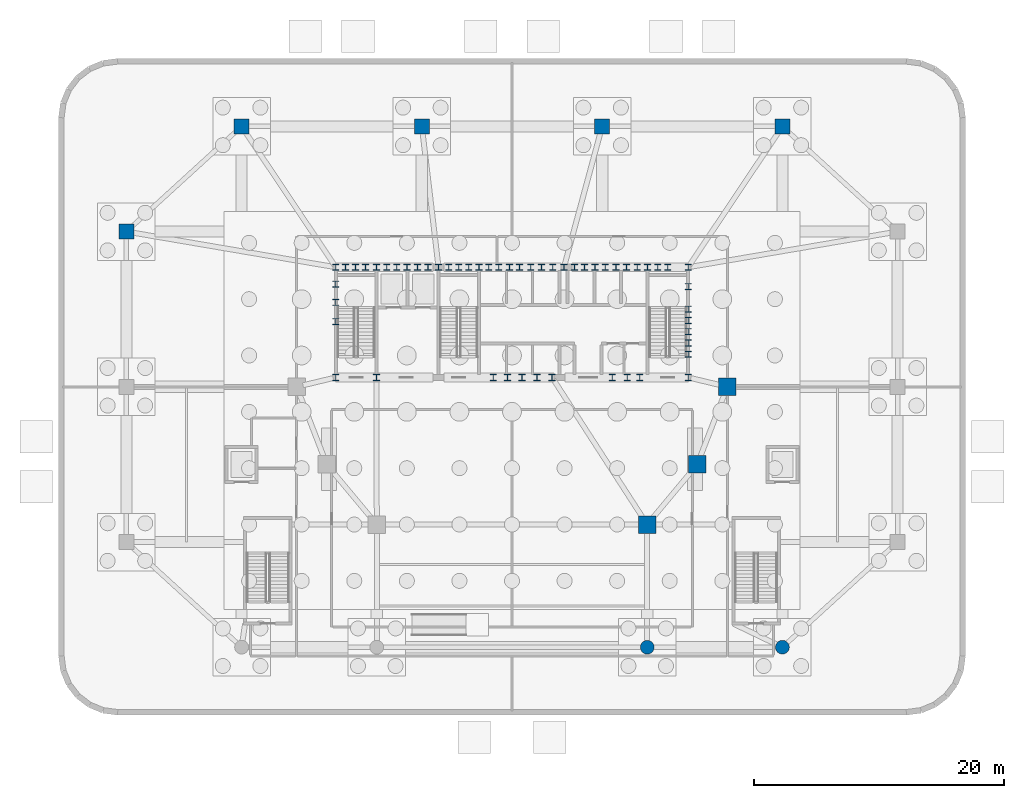
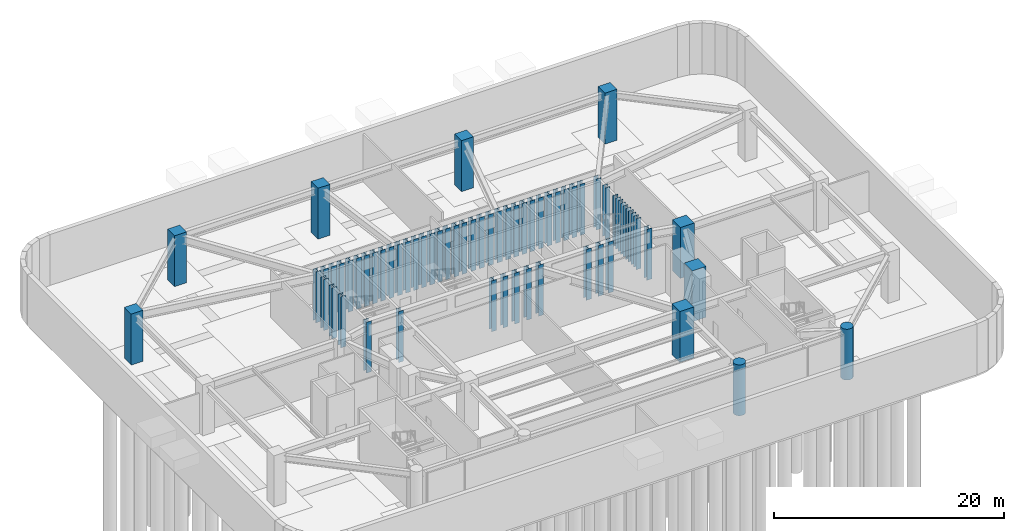
# One storey, part 2 of 11: 64 columns.
"""IFC4 building model written with IfcOpenShell, lengths in metres."""

from ifc_helpers import new_model, si_unit, direction, frame, origin, origin_2d, place, context, subcontext, project, spatial, rectangle, circle, i_section, extrude, material, material_profile, profile_set, type_object, element, save


model = new_model("IFC4")

# Units and contexts
model_context = context("Model", 3, precision=1e-05, world=origin(), true_north=direction((0.0, 1.0)))
body_context = subcontext(model_context, "Body", "Model", "MODEL_VIEW")
ifc_project = project(units=[si_unit("LENGTHUNIT", "METRE"), si_unit("AREAUNIT", "SQUARE_METRE"), si_unit("VOLUMEUNIT", "CUBIC_METRE"), si_unit("PLANEANGLEUNIT", "RADIAN"), si_unit("MASSUNIT", "GRAM", prefix="KILO")], contexts=[model_context])

# Site, building, storey
site_placement = place(None, origin())
site = spatial("IfcSite", under=ifc_project, at=site_placement, CompositionType="ELEMENT")
building_placement = place(site_placement, origin())
building = spatial("IfcBuilding", under=site, at=building_placement, Name="Haldorwick Loom Tower", CompositionType="ELEMENT")
storey_placement = place(building_placement, frame((0.0, 0.0, -5.39990234375)))
storey = spatial("IfcBuildingStorey", under=building, at=storey_placement, Name="B01", CompositionType="ELEMENT", Elevation=-5.39990234375)

# Columns
ifc_material_1 = material(Name="Concrete C60 (60 MPa)", Category="concrete")
ifc_material_profile_1 = material_profile(ifc_material_1, rectangle(XDim=1.39990234375, YDim=1.39990234375, at=origin_2d()), Name="RC1400X1400", Category="concrete")
ifc_profile_set_1 = profile_set([ifc_material_profile_1], Name="Concrete C60 (60 MPa)")
column_type_1 = type_object("IfcColumnType", Name="STR-COL-MEGA1400", PredefinedType="COLUMN", material=ifc_profile_set_1)
for number, where, z_axis, x_axis, name in (
    (1, (53.199951171875, 26.0, 0.0), (0.0, 0.0, 1.0), (1.0, 0.0, 0.0), "B01 Inner Column IC-01"),
    (2, (50.800048828125, 19.800048828125, 0.0), (0.0, 0.0, 1.0), (1.0, 0.0, 0.0), "B01 Inner Column IC-02"),
    (3, (46.800048828125, 15.0, 0.0), (0.0, 0.0, 1.0), (1.0, 0.0, 0.0), "B01 Podium Column PC-TE"),
):
    element("IfcColumn", number, at=place(storey_placement, frame(where, z_axis=z_axis, x_axis=x_axis)), inside=storey, type_object=column_type_1, Name=name, PredefinedType="COLUMN", context=body_context, shape_type="SweptSolid", body=[
        extrude(rectangle(XDim=1.39990234375, YDim=1.39990234375, at=origin_2d()), origin(), (0.0, 0.0, 1.0), 5.39990234375),
    ])
ifc_material_profile_2 = material_profile(ifc_material_1, rectangle(XDim=1.199951171875, YDim=1.199951171875, at=origin_2d()), Name="RC1200X1200", Category="concrete")
ifc_profile_set_2 = profile_set([ifc_material_profile_2], Name="Concrete C60 (60 MPa)")
column_type_2 = type_object("IfcColumnType", Name="STR-COL-RC1200", PredefinedType="COLUMN", material=ifc_profile_set_2)
for number, where, z_axis, x_axis, name in (
    (4, (14.39990234375, 46.800048828125, 0.0), (0.0, 0.0, 1.0), (1.0, 0.0, 0.0), "B01 Podium Column PC-N1"),
    (5, (28.800048828125, 46.800048828125, 0.0), (0.0, 0.0, 1.0), (1.0, 0.0, 0.0), "B01 Podium Column PC-N2"),
    (6, (43.199951171875, 46.800048828125, 0.0), (0.0, 0.0, 1.0), (1.0, 0.0, 0.0), "B01 Podium Column PC-N3"),
    (7, (57.60009765625, 46.800048828125, 0.0), (0.0, 0.0, 1.0), (1.0, 0.0, 0.0), "B01 Podium Column PC-N4"),
    (8, (5.199951171875, 38.39990234375, 0.0), (0.0, 0.0, 1.0), (1.0, 0.0, 0.0), "B01 Podium Column PC-W3"),
):
    element("IfcColumn", number, at=place(storey_placement, frame(where, z_axis=z_axis, x_axis=x_axis)), inside=storey, type_object=column_type_2, Name=name, PredefinedType="COLUMN", context=body_context, shape_type="SweptSolid", body=[
        extrude(rectangle(XDim=1.199951171875, YDim=1.199951171875, at=origin_2d()), origin(), (0.0, 0.0, 1.0), 5.39990234375),
    ])
ifc_material_profile_3 = material_profile(ifc_material_1, circle(Radius=0.550048828125, at=origin_2d()), Name="RCD1100", Category="concrete")
ifc_profile_set_3 = profile_set([ifc_material_profile_3], Name="Concrete C60 (60 MPa)")
column_type_3 = type_object("IfcColumnType", Name="STR-COL-RCD1100", PredefinedType="COLUMN", material=ifc_profile_set_3)
for number, where, z_axis, x_axis, name in (
    (9, (46.800048828125, 5.199951171875, 0.0), (0.0, 0.0, 1.0), (1.0, 0.0, 0.0), "B01 Podium Column PC-S3"),
    (10, (57.60009765625, 5.199951171875, 0.0), (0.0, 0.0, 1.0), (1.0, 0.0, 0.0), "B01 Podium Column PC-S4"),
):
    element("IfcColumn", number, at=place(storey_placement, frame(where, z_axis=z_axis, x_axis=x_axis)), inside=storey, type_object=column_type_3, Name=name, PredefinedType="COLUMN", context=body_context, shape_type="SweptSolid", body=[
        extrude(circle(Radius=0.550048828125, at=origin_2d()), origin(), (0.0, 0.0, 1.0), 5.39990234375),
    ])
ifc_material_2 = material(Name="Steel CSA G40.21 350WT", Category="steel")
ifc_material_profile_4 = material_profile(ifc_material_2, i_section(OverallWidth=0.5, OverallDepth=0.5, WebThickness=0.02197265625, FlangeThickness=0.031982421875, at=origin_2d()), Name="WWF500X500", Category="steel")
ifc_profile_set_4 = profile_set([ifc_material_profile_4], Name="Steel CSA G40.21 350WT")
column_type_4 = type_object("IfcColumnType", Name="STR-COL-WWF500", PredefinedType="COLUMN", material=ifc_profile_set_4)
for number, where, z_axis, x_axis, name in (
    (11, (21.929931640625, 35.550048828125, 0.0), (0.0, 0.0, 1.0), (1.0, 0.0, 0.0), "B01 Core Pilaster CB-01"),
    (12, (23.5, 35.550048828125, 0.0), (0.0, 0.0, 1.0), (1.0, 0.0, 0.0), "B01 Core Pilaster CB-02"),
    (13, (25.169921875, 35.550048828125, 0.0), (0.0, 0.0, 1.0), (1.0, 0.0, 0.0), "B01 Core Pilaster CB-03"),
    (14, (26.800048828125, 35.550048828125, 0.0), (0.0, 0.0, 1.0), (1.0, 0.0, 0.0), "B01 Core Pilaster CB-04"),
    (15, (28.449951171875, 35.550048828125, 0.0), (0.0, 0.0, 1.0), (1.0, 0.0, 0.0), "B01 Core Pilaster CB-05"),
    (16, (30.1298828125, 35.550048828125, 0.0), (0.0, 0.0, 1.0), (1.0, 0.0, 0.0), "B01 Core Pilaster CB-06"),
    (17, (31.75, 35.550048828125, 0.0), (0.0, 0.0, 1.0), (1.0, 0.0, 0.0), "B01 Core Pilaster CB-07"),
    (18, (33.3701171875, 35.550048828125, 0.0), (0.0, 0.0, 1.0), (1.0, 0.0, 0.0), "B01 Core Pilaster CB-08"),
    (19, (34.949951171875, 35.550048828125, 0.0), (0.0, 0.0, 1.0), (1.0, 0.0, 0.0), "B01 Core Pilaster CB-09"),
    (20, (36.60009765625, 35.550048828125, 0.0), (0.0, 0.0, 1.0), (1.0, 0.0, 0.0), "B01 Core Pilaster CB-10"),
    (21, (38.35009765625, 35.550048828125, 0.0), (0.0, 0.0, 1.0), (1.0, 0.0, 0.0), "B01 Core Pilaster CB-11"),
    (22, (40.14990234375, 35.550048828125, 0.0), (0.0, 0.0, 1.0), (1.0, 0.0, 0.0), "B01 Core Pilaster CB-12"),
    (23, (41.800048828125, 35.550048828125, 0.0), (0.0, 0.0, 1.0), (1.0, 0.0, 0.0), "B01 Core Pilaster CB-13"),
    (24, (43.449951171875, 35.550048828125, 0.0), (0.0, 0.0, 1.0), (1.0, 0.0, 0.0), "B01 Core Pilaster CB-14"),
    (25, (45.14990234375, 35.550048828125, 0.0), (0.0, 0.0, 1.0), (1.0, 0.0, 0.0), "B01 Core Pilaster CB-15"),
    (26, (46.830078125, 35.550048828125, 0.0), (0.0, 0.0, 1.0), (1.0, 0.0, 0.0), "B01 Core Pilaster CB-16"),
    (27, (48.449951171875, 35.550048828125, 0.0), (0.0, 0.0, 1.0), (1.0, 0.0, 0.0), "B01 Core Pilaster CB-17"),
    (28, (50.070068359375, 35.550048828125, 0.0), (0.0, 0.0, 1.0), (1.0, 0.0, 0.0), "B01 Core Pilaster CB-18"),
    (29, (21.929931640625, 26.75, 0.0), (0.0, 0.0, 1.0), (1.0, 0.0, 0.0), "B01 Core Pilaster CB-19"),
    (30, (25.169921875, 26.75, 0.0), (0.0, 0.0, 1.0), (1.0, 0.0, 0.0), "B01 Core Pilaster CB-20"),
    (31, (34.5, 26.75, 0.0), (0.0, 0.0, 1.0), (1.0, 0.0, 0.0), "B01 Core Pilaster CB-21"),
    (32, (36.800048828125, 26.75, 0.0), (0.0, 0.0, 1.0), (1.0, 0.0, 0.0), "B01 Core Pilaster CB-22"),
    (33, (39.199951171875, 26.75, 0.0), (0.0, 0.0, 1.0), (1.0, 0.0, 0.0), "B01 Core Pilaster CB-23"),
    (34, (45.199951171875, 26.75, 0.0), (0.0, 0.0, 1.0), (1.0, 0.0, 0.0), "B01 Core Pilaster CB-24"),
    (35, (50.070068359375, 26.75, 0.0), (0.0, 0.0, 1.0), (1.0, 0.0, 0.0), "B01 Core Pilaster CB-25"),
    (36, (21.929931640625, 31.199951171875, 0.0), (0.0, 0.0, 1.0), (1.0, 0.0, 0.0), "B01 Core Pilaster CB-26"),
    (37, (21.929931640625, 32.75, 0.0), (0.0, 0.0, 1.0), (1.0, 0.0, 0.0), "B01 Core Pilaster CB-27"),
    (38, (21.929931640625, 34.199951171875, 0.0), (0.0, 0.0, 1.0), (1.0, 0.0, 0.0), "B01 Core Pilaster CB-28"),
    (39, (50.070068359375, 28.60009765625, 0.0), (0.0, 0.0, 1.0), (1.0, 0.0, 0.0), "B01 Core Pilaster CB-29"),
    (40, (50.070068359375, 30.39990234375, 0.0), (0.0, 0.0, 1.0), (1.0, 0.0, 0.0), "B01 Core Pilaster CB-30"),
    (41, (50.070068359375, 32.199951171875, 0.0), (0.0, 0.0, 1.0), (1.0, 0.0, 0.0), "B01 Core Pilaster CB-31"),
    (42, (50.070068359375, 34.0, 0.0), (0.0, 0.0, 1.0), (1.0, 0.0, 0.0), "B01 Core Pilaster CB-32"),
    (43, (22.699951171875, 35.550048828125, 0.0), (0.0, 0.0, 1.0), (1.0, 0.0, 0.0), "B01 Core Pilaster CB-33"),
    (44, (27.6201171875, 35.550048828125, 0.0), (0.0, 0.0, 1.0), (1.0, 0.0, 0.0), "B01 Core Pilaster CB-34"),
    (45, (32.550048828125, 35.550048828125, 0.0), (0.0, 0.0, 1.0), (1.0, 0.0, 0.0), "B01 Core Pilaster CB-35"),
    (46, (37.5, 35.550048828125, 0.0), (0.0, 0.0, 1.0), (1.0, 0.0, 0.0), "B01 Core Pilaster CB-36"),
    (47, (42.6201171875, 35.550048828125, 0.0), (0.0, 0.0, 1.0), (1.0, 0.0, 0.0), "B01 Core Pilaster CB-37"),
    (48, (47.64990234375, 35.550048828125, 0.0), (0.0, 0.0, 1.0), (1.0, 0.0, 0.0), "B01 Core Pilaster CB-38"),
    (49, (24.300048828125, 35.550048828125, 0.0), (0.0, 0.0, 1.0), (1.0, 0.0, 0.0), "B01 Core Pilaster CB-39"),
    (50, (26.0, 35.550048828125, 0.0), (0.0, 0.0, 1.0), (1.0, 0.0, 0.0), "B01 Core Pilaster CB-40"),
    (51, (29.300048828125, 35.550048828125, 0.0), (0.0, 0.0, 1.0), (1.0, 0.0, 0.0), "B01 Core Pilaster CB-41"),
    (52, (30.949951171875, 35.550048828125, 0.0), (0.0, 0.0, 1.0), (1.0, 0.0, 0.0), "B01 Core Pilaster CB-42"),
    (53, (34.14990234375, 35.550048828125, 0.0), (0.0, 0.0, 1.0), (1.0, 0.0, 0.0), "B01 Core Pilaster CB-43"),
    (54, (35.800048828125, 35.550048828125, 0.0), (0.0, 0.0, 1.0), (1.0, 0.0, 0.0), "B01 Core Pilaster CB-44"),
    (55, (39.25, 35.550048828125, 0.0), (0.0, 0.0, 1.0), (1.0, 0.0, 0.0), "B01 Core Pilaster CB-45"),
    (56, (41.0, 35.550048828125, 0.0), (0.0, 0.0, 1.0), (1.0, 0.0, 0.0), "B01 Core Pilaster CB-46"),
    (57, (44.300048828125, 35.550048828125, 0.0), (0.0, 0.0, 1.0), (1.0, 0.0, 0.0), "B01 Core Pilaster CB-47"),
    (58, (46.0, 35.550048828125, 0.0), (0.0, 0.0, 1.0), (1.0, 0.0, 0.0), "B01 Core Pilaster CB-48"),
    (59, (50.070068359375, 29.5, 0.0), (0.0, 0.0, 1.0), (1.0, 0.0, 0.0), "B01 Core Pilaster CB-49"),
    (60, (50.070068359375, 31.300048828125, 0.0), (0.0, 0.0, 1.0), (1.0, 0.0, 0.0), "B01 Core Pilaster CB-50"),
    (61, (35.64990234375, 26.75, 0.0), (0.0, 0.0, 1.0), (1.0, 0.0, 0.0), "B01 Core Pilaster CB-51"),
    (62, (38.0, 26.75, 0.0), (0.0, 0.0, 1.0), (1.0, 0.0, 0.0), "B01 Core Pilaster CB-52"),
    (63, (44.0, 26.75, 0.0), (0.0, 0.0, 1.0), (1.0, 0.0, 0.0), "B01 Core Pilaster CB-53"),
    (64, (46.199951171875, 26.75, 0.0), (0.0, 0.0, 1.0), (1.0, 0.0, 0.0), "B01 Core Pilaster CB-54"),
):
    element("IfcColumn", number, at=place(storey_placement, frame(where, z_axis=z_axis, x_axis=x_axis)), inside=storey, type_object=column_type_4, Name=name, PredefinedType="COLUMN", context=body_context, shape_type="SweptSolid", body=[
        extrude(i_section(OverallWidth=0.5, OverallDepth=0.5, WebThickness=0.02197265625, FlangeThickness=0.031982421875, at=origin_2d()), origin(), (0.0, 0.0, 1.0), 5.39990234375),
    ])

save(model, "model.ifc")
